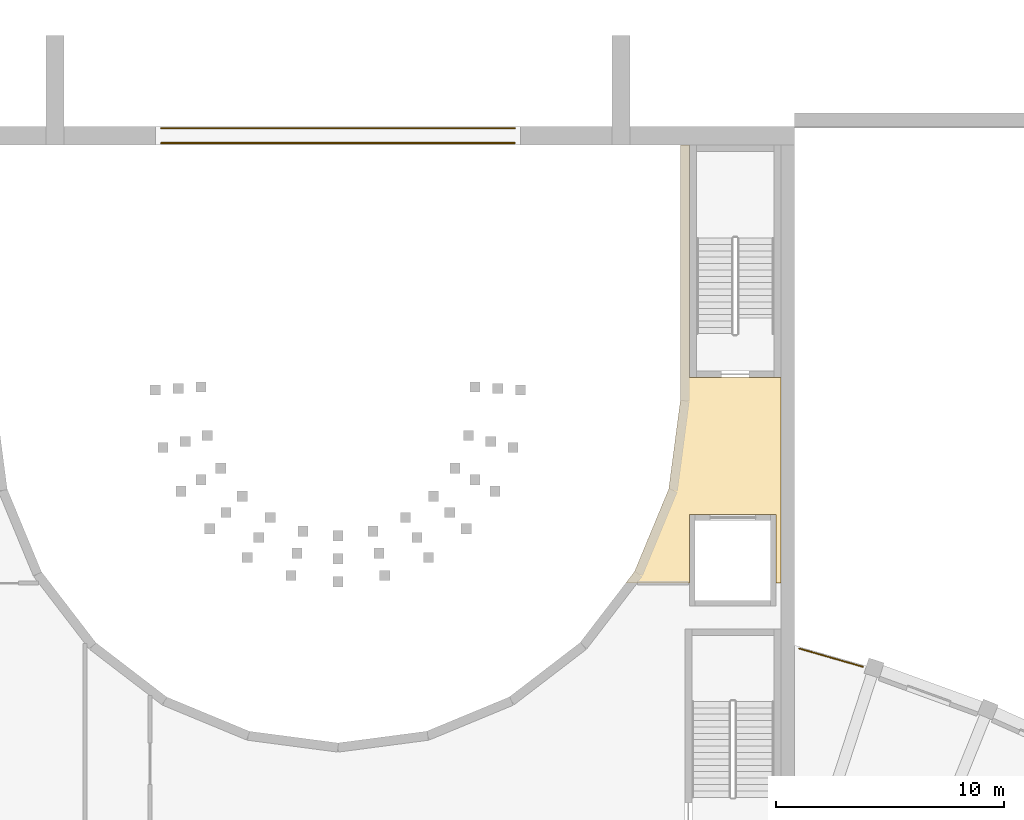
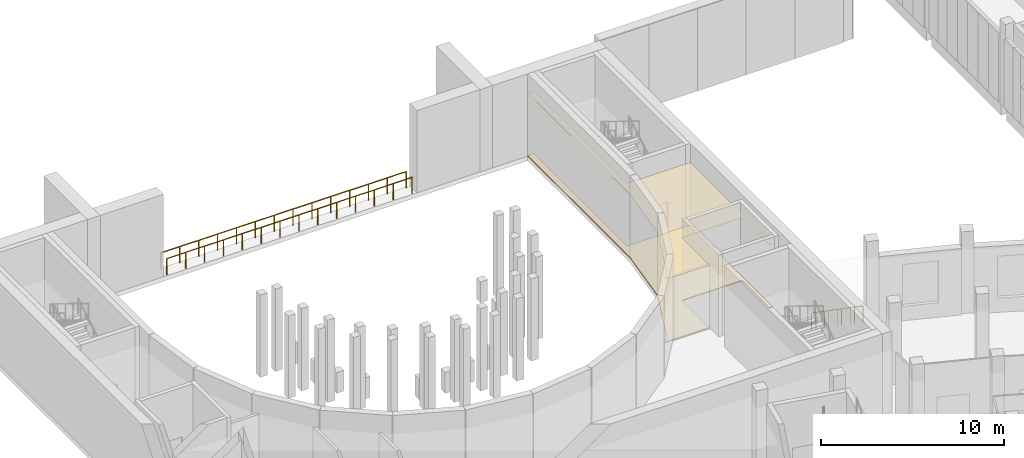
# One storey, part 95 of 112: 3 railings, 2 coverings.
"""IFC4 building model written with IfcOpenShell, lengths in metres."""

from ifc_helpers import new_model, si_unit, direction, frame, origin, origin_2d, place, context, subcontext, project, spatial, polyline, circle, outline, extrude, material, layer, layer_set, type_object, element, save


model = new_model("IFC4")

# Units and contexts
model_context = context("Model", 3, precision=1e-05, world=origin(), true_north=direction((0.0, 1.0)))
body_context = subcontext(model_context, "Body", "Model", "MODEL_VIEW")
ifc_project = project(units=[si_unit("LENGTHUNIT", "METRE"), si_unit("AREAUNIT", "SQUARE_METRE"), si_unit("VOLUMEUNIT", "CUBIC_METRE"), si_unit("PLANEANGLEUNIT", "RADIAN"), si_unit("MASSUNIT", "GRAM", prefix="KILO")], contexts=[model_context])

# Site, building, storey
site_placement = place(None, origin())
site = spatial("IfcSite", under=ifc_project, at=site_placement, CompositionType="ELEMENT")
building_placement = place(site_placement, origin())
building = spatial("IfcBuilding", under=site, at=building_placement, Name="Lunette Opera House", CompositionType="ELEMENT")
storey_placement = place(building_placement, frame((0.0, 0.0, 6.0)))
storey = spatial("IfcBuildingStorey", under=building, at=storey_placement, Name="L01", CompositionType="ELEMENT", Elevation=6.0)

# Railings
ifc_material_1 = material(Name="Steel S355", Category="steel")
railing_type = type_object("IfcRailingType", Name="DECK GUARD 1100", PredefinedType="GUARDRAIL", material=ifc_material_1)
railing_1_placement = place(storey_placement, frame((103.75, 95.919921875, 0.0)))
element("IfcRailing", 1, at=railing_1_placement, inside=storey, type_object=railing_type, Name="Deck guard 001", PredefinedType="GUARDRAIL", context=body_context, shape_type="SweptSolid", body=[
    extrude(circle(Radius=0.02392578125, at=origin_2d()), frame((0.0, 0.0, 1.076171875), z_axis=(-1.0, 0.0, 0.0), x_axis=(0.0, -1.0, 0.0)), (0.0, 0.0, 1.0), 15.5),
    extrude(circle(Radius=0.02099609375, at=origin_2d()), origin(), (0.0, 0.0, 1.0), 1.052001953125),
    extrude(circle(Radius=0.02099609375, at=origin_2d()), frame((-1.1923828125, 0.0, 0.0)), (0.0, 0.0, 1.0), 1.052001953125),
    extrude(circle(Radius=0.02099609375, at=origin_2d()), frame((-2.384521484375, 0.0, 0.0)), (0.0, 0.0, 1.0), 1.052001953125),
    extrude(circle(Radius=0.02099609375, at=origin_2d()), frame((-3.576904296875, 0.0, 0.0)), (0.0, 0.0, 1.0), 1.052001953125),
    extrude(circle(Radius=0.02099609375, at=origin_2d()), frame((-4.769287109375, 0.0, 0.0)), (0.0, 0.0, 1.0), 1.052001953125),
    extrude(circle(Radius=0.02099609375, at=origin_2d()), frame((-5.96142578125, 0.0, 0.0)), (0.0, 0.0, 1.0), 1.052001953125),
    extrude(circle(Radius=0.02099609375, at=origin_2d()), frame((-7.15380859375, 0.0, 0.0)), (0.0, 0.0, 1.0), 1.052001953125),
    extrude(circle(Radius=0.02099609375, at=origin_2d()), frame((-8.34619140625, 0.0, 0.0)), (0.0, 0.0, 1.0), 1.052001953125),
    extrude(circle(Radius=0.02099609375, at=origin_2d()), frame((-9.53857421875, 0.0, 0.0)), (0.0, 0.0, 1.0), 1.052001953125),
    extrude(circle(Radius=0.02099609375, at=origin_2d()), frame((-10.730712890625, 0.0, 0.0)), (0.0, 0.0, 1.0), 1.052001953125),
    extrude(circle(Radius=0.02099609375, at=origin_2d()), frame((-11.923095703125, 0.0, 0.0)), (0.0, 0.0, 1.0), 1.052001953125),
    extrude(circle(Radius=0.02099609375, at=origin_2d()), frame((-13.115478515625, 0.0, 0.0)), (0.0, 0.0, 1.0), 1.052001953125),
    extrude(circle(Radius=0.02099609375, at=origin_2d()), frame((-14.3076171875, 0.0, 0.0)), (0.0, 0.0, 1.0), 1.052001953125),
    extrude(circle(Radius=0.02099609375, at=origin_2d()), frame((-15.5, 0.0, 0.0)), (0.0, 0.0, 1.0), 1.052001953125),
])
railing_2_placement = place(storey_placement, frame((88.25, 95.280029296875, 0.0)))
element("IfcRailing", 2, at=railing_2_placement, inside=storey, type_object=railing_type, Name="Deck guard 002", PredefinedType="GUARDRAIL", context=body_context, shape_type="SweptSolid", body=[
    extrude(circle(Radius=0.02392578125, at=origin_2d()), frame((0.0, 0.0, 1.076171875), z_axis=(1.0, 0.0, 0.0), x_axis=(0.0, 1.0, 0.0)), (0.0, 0.0, 1.0), 15.5),
    extrude(circle(Radius=0.02099609375, at=origin_2d()), origin(), (0.0, 0.0, 1.0), 1.052001953125),
    extrude(circle(Radius=0.02099609375, at=origin_2d()), frame((1.1923828125, 0.0, 0.0)), (0.0, 0.0, 1.0), 1.052001953125),
    extrude(circle(Radius=0.02099609375, at=origin_2d()), frame((2.384521484375, 0.0, 0.0)), (0.0, 0.0, 1.0), 1.052001953125),
    extrude(circle(Radius=0.02099609375, at=origin_2d()), frame((3.576904296875, 0.0, 0.0)), (0.0, 0.0, 1.0), 1.052001953125),
    extrude(circle(Radius=0.02099609375, at=origin_2d()), frame((4.769287109375, 0.0, 0.0)), (0.0, 0.0, 1.0), 1.052001953125),
    extrude(circle(Radius=0.02099609375, at=origin_2d()), frame((5.96142578125, 0.0, 0.0)), (0.0, 0.0, 1.0), 1.052001953125),
    extrude(circle(Radius=0.02099609375, at=origin_2d()), frame((7.15380859375, 0.0, 0.0)), (0.0, 0.0, 1.0), 1.052001953125),
    extrude(circle(Radius=0.02099609375, at=origin_2d()), frame((8.34619140625, 0.0, 0.0)), (0.0, 0.0, 1.0), 1.052001953125),
    extrude(circle(Radius=0.02099609375, at=origin_2d()), frame((9.53857421875, 0.0, 0.0)), (0.0, 0.0, 1.0), 1.052001953125),
    extrude(circle(Radius=0.02099609375, at=origin_2d()), frame((10.730712890625, 0.0, 0.0)), (0.0, 0.0, 1.0), 1.052001953125),
    extrude(circle(Radius=0.02099609375, at=origin_2d()), frame((11.923095703125, 0.0, 0.0)), (0.0, 0.0, 1.0), 1.052001953125),
    extrude(circle(Radius=0.02099609375, at=origin_2d()), frame((13.115478515625, 0.0, 0.0)), (0.0, 0.0, 1.0), 1.052001953125),
    extrude(circle(Radius=0.02099609375, at=origin_2d()), frame((14.3076171875, 0.0, 0.0)), (0.0, 0.0, 1.0), 1.052001953125),
    extrude(circle(Radius=0.02099609375, at=origin_2d()), frame((15.5, 0.0, 0.0)), (0.0, 0.0, 1.0), 1.052001953125),
])
railing_3_placement = place(storey_placement, frame((118.998046875, 72.3359375, 0.0)))
element("IfcRailing", 3, at=railing_3_placement, inside=storey, type_object=railing_type, Name="Deck guard 007", PredefinedType="GUARDRAIL", context=body_context, shape_type="SweptSolid", body=[
    extrude(circle(Radius=0.02392578125, at=origin_2d()), frame((0.0, 0.0, 1.076171875), z_axis=(-0.960738135556, 0.277456726155, 0.0), x_axis=(-0.277456726155, -0.960738135556, 0.0)), (0.0, 0.0, 1.0), 0.483154296875),
    extrude(circle(Radius=0.02392578125, at=origin_2d()), frame((-0.464111328125, 0.134033203125, 1.076171875), z_axis=(-0.962206045824, 0.272322465799, 0.0), x_axis=(-0.272322465799, -0.962206045824, 0.0)), (0.0, 0.0, 1.0), 0.241943359375),
    extrude(circle(Radius=0.02392578125, at=origin_2d()), frame((-0.697021484375, 0.199951171875, 1.076171875), z_axis=(-0.960738135556, 0.277456726155, 0.0), x_axis=(-0.277456726155, -0.960738135556, 0.0)), (0.0, 0.0, 1.0), 0.483154296875),
    extrude(circle(Radius=0.02392578125, at=origin_2d()), frame((-1.1611328125, 0.333984375, 1.076171875), z_axis=(-0.961941381411, 0.273255885076, 0.0), x_axis=(-0.273255885076, -0.961941381411, 0.0)), (0.0, 0.0, 1.0), 0.2421875),
    extrude(circle(Radius=0.02392578125, at=origin_2d()), frame((-1.39404296875, 0.400146484375, 1.076171875), z_axis=(-0.960738135556, 0.277456726155, 0.0), x_axis=(-0.277456726155, -0.960738135556, 0.0)), (0.0, 0.0, 1.0), 0.483154296875),
    extrude(circle(Radius=0.02392578125, at=origin_2d()), frame((-1.858154296875, 0.5341796875, 1.076171875), z_axis=(-0.962206045824, 0.272322465799, 0.0), x_axis=(-0.272322465799, -0.962206045824, 0.0)), (0.0, 0.0, 1.0), 0.241943359375),
    extrude(circle(Radius=0.02392578125, at=origin_2d()), frame((-2.091064453125, 0.60009765625, 1.076171875), z_axis=(-0.960699201485, 0.277591506113, 0.0), x_axis=(-0.277591506113, -0.960699201485, 0.0)), (0.0, 0.0, 1.0), 0.48291015625),
    extrude(circle(Radius=0.02392578125, at=origin_2d()), frame((-2.554931640625, 0.734130859375, 1.076171875), z_axis=(-0.962280734503, 0.272058427556, 0.0), x_axis=(-0.272058427556, -0.962280734503, 0.0)), (0.0, 0.0, 1.0), 0.2421875),
    extrude(circle(Radius=0.02099609375, at=origin_2d()), origin(), (0.0, 0.0, 1.0), 1.052001953125),
    extrude(circle(Radius=0.02099609375, at=origin_2d()), frame((-0.464111328125, 0.134033203125, 0.0)), (0.0, 0.0, 1.0), 1.052001953125),
    extrude(circle(Radius=0.02099609375, at=origin_2d()), frame((-0.697021484375, 0.199951171875, 0.0)), (0.0, 0.0, 1.0), 1.052001953125),
    extrude(circle(Radius=0.02099609375, at=origin_2d()), frame((-1.1611328125, 0.333984375, 0.0)), (0.0, 0.0, 1.0), 1.052001953125),
    extrude(circle(Radius=0.02099609375, at=origin_2d()), frame((-1.39404296875, 0.400146484375, 0.0)), (0.0, 0.0, 1.0), 1.052001953125),
    extrude(circle(Radius=0.02099609375, at=origin_2d()), frame((-1.858154296875, 0.5341796875, 0.0)), (0.0, 0.0, 1.0), 1.052001953125),
    extrude(circle(Radius=0.02099609375, at=origin_2d()), frame((-2.091064453125, 0.60009765625, 0.0)), (0.0, 0.0, 1.0), 1.052001953125),
    extrude(circle(Radius=0.02099609375, at=origin_2d()), frame((-2.554931640625, 0.734130859375, 0.0)), (0.0, 0.0, 1.0), 1.052001953125),
    extrude(circle(Radius=0.02099609375, at=origin_2d()), frame((-2.7880859375, 0.800048828125, 0.0)), (0.0, 0.0, 1.0), 1.052001953125),
])

# Coverings
ifc_material_2 = material(Name="Mineral fibre board")
ifc_layer_1 = layer(ifc_material_2, 0.014892578125)
ifc_layer_set_1 = layer_set([ifc_layer_1], Name="Mineral fibre board")
covering_type_1 = type_object("IfcCoveringType", Name="SUSPENDED ACOUSTIC CEILING 15", PredefinedType="CEILING", material=ifc_layer_set_1)
covering_1_placement = place(storey_placement, frame((0.0, 0.0, 4.235107421875)))
element("IfcCovering", 4, at=covering_1_placement, inside=storey, type_object=covering_type_1, Name="Ceiling Stalls Gallery Foyer East", PredefinedType="CEILING", context=body_context, shape_type="SweptSolid", body=[
    extrude(outline(polyline([(111.0, 95.199951171875), (111.39990234375, 95.199951171875), (111.39990234375, 85.0), (115.39990234375, 85.0), (115.39990234375, 76.0), (115.199951171875, 76.0), (115.199951171875, 79.0), (111.39990234375, 79.0), (111.39990234375, 76.0), (108.60693359375, 76.0), (108.989990234375, 76.5), (110.489013671875, 80.117919921875), (111.0, 84.0), (111.0, 95.199951171875)])), origin(), (0.0, 0.0, 1.0), 0.014892578125),
])
ifc_material_3 = material(Name="Terrazzo")
ifc_layer_2 = layer(ifc_material_3, 0.06005859375)
ifc_layer_set_2 = layer_set([ifc_layer_2], Name="Terrazzo")
covering_type_2 = type_object("IfcCoveringType", Name="TERRAZZO FLOOR FINISH 60", PredefinedType="FLOORING", material=ifc_layer_set_2)
covering_2_placement = place(storey_placement, origin())
element("IfcCovering", 5, at=covering_2_placement, inside=storey, type_object=covering_type_2, Name="Floor finish Stalls Gallery Foyer East", PredefinedType="FLOORING", context=body_context, shape_type="SweptSolid", body=[
    extrude(outline(polyline([(111.0, 95.199951171875), (111.39990234375, 95.199951171875), (111.39990234375, 85.0), (115.39990234375, 85.0), (115.39990234375, 76.0), (115.199951171875, 76.0), (115.199951171875, 79.0), (111.39990234375, 79.0), (111.39990234375, 76.0), (108.60693359375, 76.0), (108.989990234375, 76.5), (110.489013671875, 80.117919921875), (111.0, 84.0), (111.0, 95.199951171875)])), origin(), (0.0, 0.0, 1.0), 0.06005859375),
])

save(model, "model.ifc")
